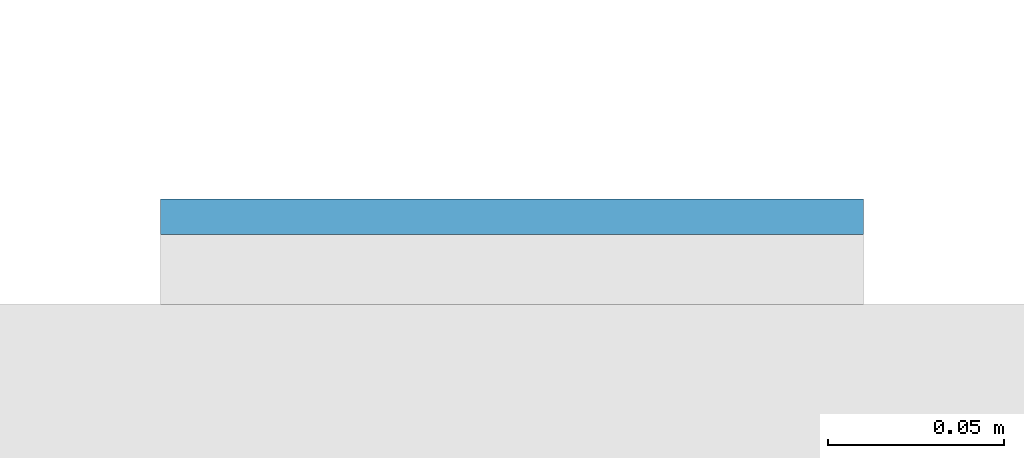
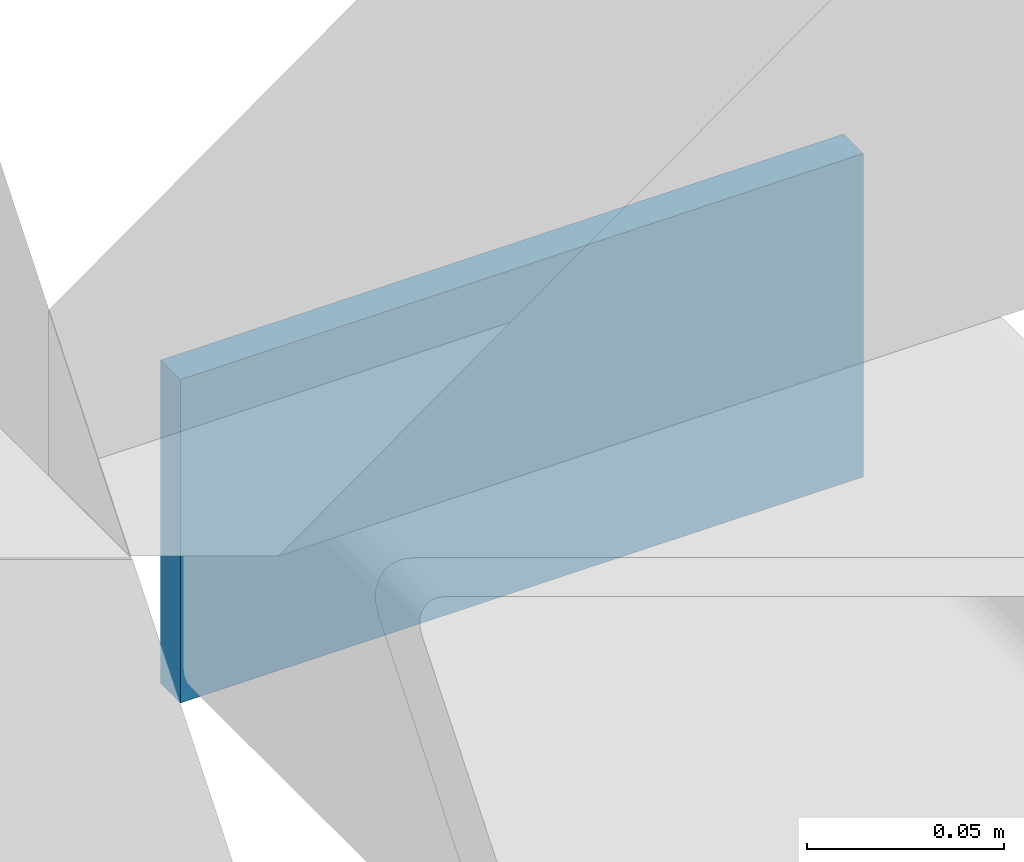
# One storey, part 11 of 20: 1 plate.
"""IFC4 building model written with IfcOpenShell, lengths in metres."""

from ifc_helpers import new_model, si_unit, direction, frame, origin, origin_2d, place, context, subcontext, project, spatial, rectangle, extrude, material, layer, layer_set, type_object, element, save


model = new_model("IFC4")

# Units and contexts
model_context = context("Model", 3, precision=1e-05, world=origin(), true_north=direction((0.0, 1.0)))
body_context = subcontext(model_context, "Body", "Model", "MODEL_VIEW")
ifc_project = project(units=[si_unit("LENGTHUNIT", "METRE"), si_unit("AREAUNIT", "SQUARE_METRE"), si_unit("VOLUMEUNIT", "CUBIC_METRE"), si_unit("PLANEANGLEUNIT", "RADIAN"), si_unit("MASSUNIT", "GRAM", prefix="KILO")], contexts=[model_context])

# Site, building, storey
site_placement = place(None, origin())
site = spatial("IfcSite", under=ifc_project, at=site_placement, CompositionType="ELEMENT")
building_placement = place(site_placement, origin())
building = spatial("IfcBuilding", under=site, at=building_placement, Name="Cleftline Residences", CompositionType="ELEMENT")
storey_placement = place(building_placement, frame((0.0, 0.0, 193.0)))
storey = spatial("IfcBuildingStorey", under=building, at=storey_placement, Name="L50", CompositionType="ELEMENT", Elevation=193.0)

# Plate
ifc_material = material(Name="Steel S355, hot-dip galvanised", Category="steel")
ifc_layer = layer(ifc_material, 0.010009765625)
ifc_layer_set = layer_set([ifc_layer], Name="BAGUETTE CARRIER END PLATE 200X100X10")
plate_type = type_object("IfcPlateType", Name="BAGUETTE CARRIER END PLATE 200X100X10", PredefinedType="USERDEFINED", material=ifc_layer_set)
plate_placement = place(storey_placement, frame((66.85009765625, 44.304931640625, -0.10009765625), z_axis=(0.0, 0.0, 1.0), x_axis=(1.0, 0.0, 0.0)))
element("IfcPlate", 1, at=plate_placement, inside=storey, type_object=plate_type, Name="Baguette carrier end plate", ObjectType="BAGUETTE CARRIER END PLATE", PredefinedType="USERDEFINED", context=body_context, shape_type="SweptSolid", body=[
    extrude(rectangle(XDim=0.199951171875, YDim=0.010009765625, at=origin_2d()), origin(), (0.0, 0.0, 1.0), 0.10009765625),
])

save(model, "model.ifc")
